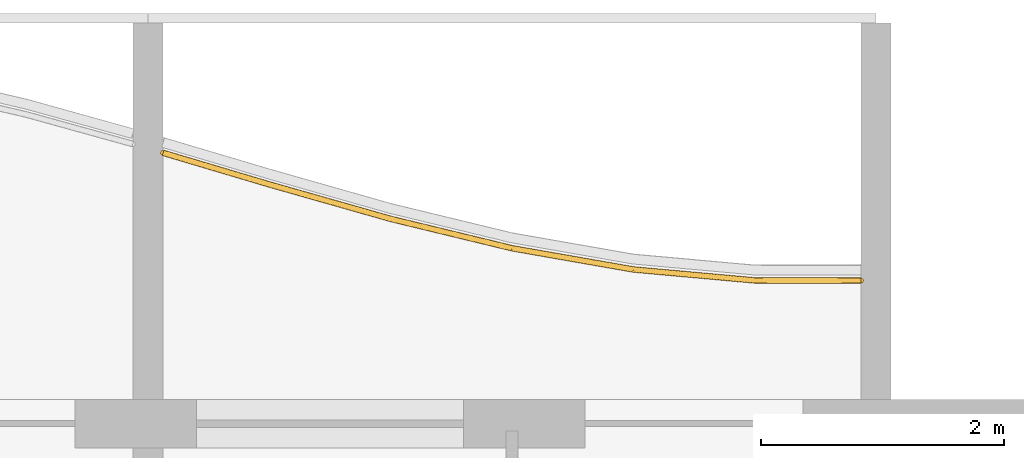
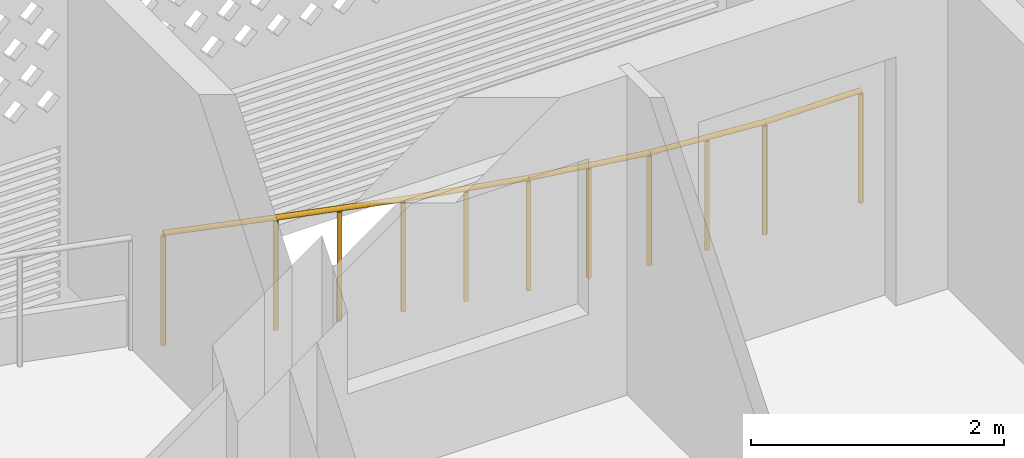
# One storey, part 28 of 29: 1 railing.
"""IFC4 building model written with IfcOpenShell, lengths in metres."""

from ifc_helpers import new_model, si_unit, direction, frame, origin, origin_2d, place, context, subcontext, project, spatial, circle, extrude, material, type_object, element, save


model = new_model("IFC4")

# Units and contexts
model_context = context("Model", 3, precision=1e-05, world=origin(), true_north=direction((0.0, 1.0)))
body_context = subcontext(model_context, "Body", "Model", "MODEL_VIEW")
ifc_project = project(units=[si_unit("LENGTHUNIT", "METRE"), si_unit("AREAUNIT", "SQUARE_METRE"), si_unit("VOLUMEUNIT", "CUBIC_METRE"), si_unit("PLANEANGLEUNIT", "RADIAN"), si_unit("MASSUNIT", "GRAM", prefix="KILO")], contexts=[model_context])

# Site, building, storey
site_placement = place(None, origin())
site = spatial("IfcSite", under=ifc_project, at=site_placement, CompositionType="ELEMENT")
building_placement = place(site_placement, origin())
building = spatial("IfcBuilding", under=site, at=building_placement, Name="Poui Terraces", CompositionType="ELEMENT")
storey_placement = place(building_placement, frame((0.0, 0.0, 234.60009765625)))
storey = spatial("IfcBuildingStorey", under=building, at=storey_placement, Name="L65", CompositionType="ELEMENT", Elevation=234.60009765625)

# Railing
ifc_material = material(Name="Painted steel fretwork", Category="steel")
railing_type = type_object("IfcRailingType", Name="BALCONY GUARD 1100", PredefinedType="GUARDRAIL", material=ifc_material)
railing_placement = place(storey_placement, frame((72.125, 43.43115234375, 0.0)))
element("IfcRailing", 1, at=railing_placement, inside=storey, type_object=railing_type, Name="BALCONY GUARD", PredefinedType="GUARDRAIL", context=body_context, shape_type="SweptSolid", body=[
    extrude(circle(Radius=0.02392578125, at=origin_2d()), frame((0.0, 0.0, 1.076171875), z_axis=(0.958573864065, -0.28484407512, 0.0), x_axis=(0.28484407512, 0.958573864065, 0.0)), (0.0, 0.0, 1.0), 0.912841796875),
    extrude(circle(Radius=0.02392578125, at=origin_2d()), frame((0.875, -0.260009765625, 1.076171875), z_axis=(0.961974635381, -0.273138794177, 0.0), x_axis=(0.273138794177, 0.961974635381, 0.0)), (0.0, 0.0, 1.0), 1.03955078125),
    extrude(circle(Radius=0.02392578125, at=origin_2d()), frame((1.875, -0.5439453125, 1.076171875), z_axis=(0.97195702449, -0.235158547673, 0.0), x_axis=(0.235158547673, 0.97195702449, 0.0)), (0.0, 0.0, 1.0), 1.02880859375),
    extrude(circle(Radius=0.02392578125, at=origin_2d()), frame((2.875, -0.785888671875, 1.076171875), z_axis=(0.985022299221, -0.172426999156, 0.0), x_axis=(0.172426999156, 0.985022299221, 0.0)), (0.0, 0.0, 1.0), 1.01513671875),
    extrude(circle(Radius=0.02392578125, at=origin_2d()), frame((3.875, -0.9609375, 1.076171875), z_axis=(0.995966620108, -0.089724531938, 0.0), x_axis=(0.089724531938, 0.995966620108, 0.0)), (0.0, 0.0, 1.0), 1.004150390625),
    extrude(circle(Radius=0.02392578125, at=origin_2d()), frame((4.875, -1.051025390625, 1.076171875), z_axis=(0.999998092657, -0.001953121275, 0.0), x_axis=(0.001953121275, 0.999998092657, 0.0)), (0.0, 0.0, 1.0), 0.875),
    extrude(circle(Radius=0.02099609375, at=origin_2d()), origin(), (0.0, 0.0, 1.0), 1.052001953125),
    extrude(circle(Radius=0.02099609375, at=origin_2d()), frame((0.875, -0.260009765625, 0.0)), (0.0, 0.0, 1.0), 1.052001953125),
    extrude(circle(Radius=0.02099609375, at=origin_2d()), frame((1.375, -0.40185546875, 0.0)), (0.0, 0.0, 1.0), 1.052001953125),
    extrude(circle(Radius=0.02099609375, at=origin_2d()), frame((1.875, -0.5439453125, 0.0)), (0.0, 0.0, 1.0), 1.052001953125),
    extrude(circle(Radius=0.02099609375, at=origin_2d()), frame((2.375, -0.6650390625, 0.0)), (0.0, 0.0, 1.0), 1.052001953125),
    extrude(circle(Radius=0.02099609375, at=origin_2d()), frame((2.875, -0.785888671875, 0.0)), (0.0, 0.0, 1.0), 1.052001953125),
    extrude(circle(Radius=0.02099609375, at=origin_2d()), frame((3.375, -0.87353515625, 0.0)), (0.0, 0.0, 1.0), 1.052001953125),
    extrude(circle(Radius=0.02099609375, at=origin_2d()), frame((3.875, -0.9609375, 0.0)), (0.0, 0.0, 1.0), 1.052001953125),
    extrude(circle(Radius=0.02099609375, at=origin_2d()), frame((4.375, -1.005859375, 0.0)), (0.0, 0.0, 1.0), 1.052001953125),
    extrude(circle(Radius=0.02099609375, at=origin_2d()), frame((4.875, -1.051025390625, 0.0)), (0.0, 0.0, 1.0), 1.052001953125),
    extrude(circle(Radius=0.02099609375, at=origin_2d()), frame((5.75, -1.052734375, 0.0)), (0.0, 0.0, 1.0), 1.052001953125),
])

save(model, "model.ifc")
